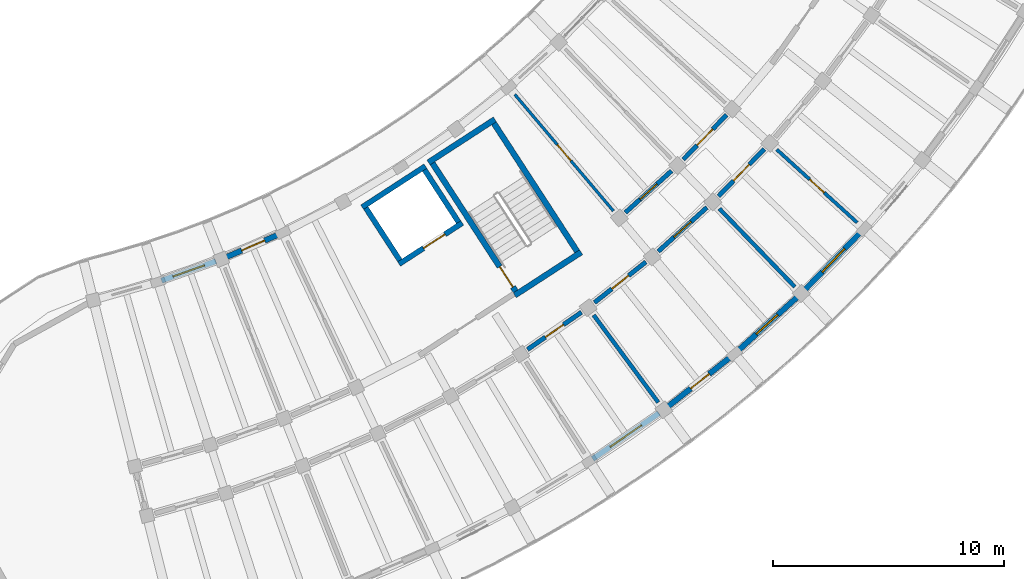
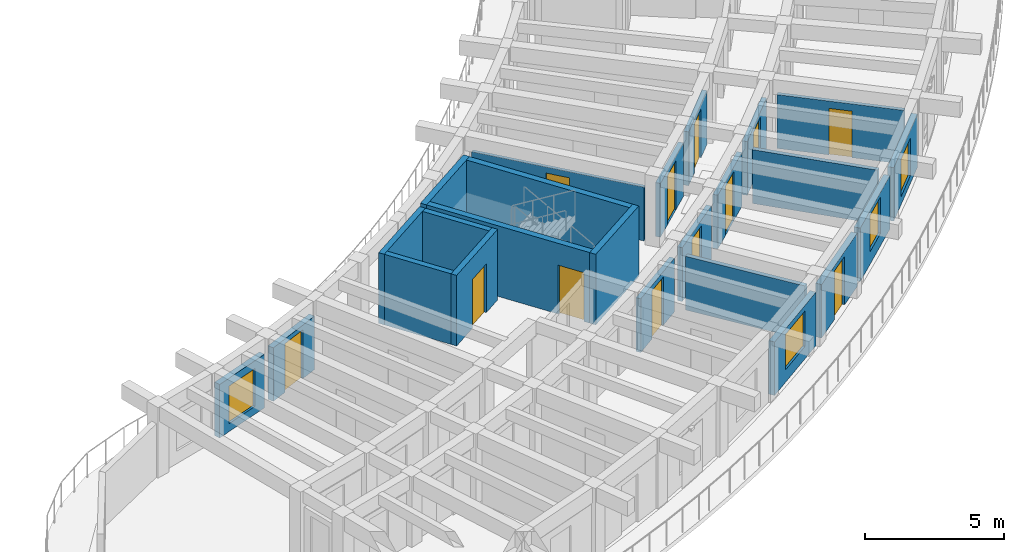
# One storey, part 53 of 81: 24 walls, 12 doors, 4 windows, 16 openings.
"""IFC4 building model written with IfcOpenShell, lengths in metres."""

from ifc_helpers import new_model, si_unit, direction, frame, frame_2d, origin, place, context, subcontext, project, spatial, rectangle, extrude, material, layer, layer_set, type_object, element, fill, save


model = new_model("IFC4")

# Units and contexts
model_context = context("Model", 3, precision=1e-05, world=origin(), true_north=direction((0.0, 1.0)))
body_context = subcontext(model_context, "Body", "Model", "MODEL_VIEW")
ifc_project = project(units=[si_unit("LENGTHUNIT", "METRE"), si_unit("AREAUNIT", "SQUARE_METRE"), si_unit("VOLUMEUNIT", "CUBIC_METRE"), si_unit("PLANEANGLEUNIT", "RADIAN"), si_unit("MASSUNIT", "GRAM", prefix="KILO")], contexts=[model_context])

# Site, building, storey
site_placement = place(None, origin())
site = spatial("IfcSite", under=ifc_project, at=site_placement, CompositionType="ELEMENT")
building_placement = place(site_placement, origin())
building = spatial("IfcBuilding", under=site, at=building_placement, Name="Tanwirah Colonnade Gardens", CompositionType="ELEMENT")
storey_placement = place(building_placement, frame((0.0, 0.0, 8.840087890625)))
storey = spatial("IfcBuildingStorey", under=building, at=storey_placement, Name="L02", CompositionType="ELEMENT", Elevation=8.840087890625)

# Wall, opening, window
ifc_material_1 = material(Name="Limestone architectural precast concrete C40/50", Category="masonry")
ifc_layer_1 = layer(ifc_material_1, 0.239990234375)
ifc_layer_set_1 = layer_set([ifc_layer_1], Name="Limestone architectural precast concrete C40/50")
wall_type_1 = type_object("IfcWallType", Name="EW-PC240", PredefinedType="SOLIDWALL", material=ifc_layer_set_1)
wall_1_placement = place(storey_placement, frame((134.701904296875, 22.2197265625, 0.0), z_axis=(0.0, 0.0, 1.0), x_axis=(0.941892135469, 0.33591547321, 0.0)))
wall_1 = element("IfcWall", 1, at=wall_1_placement, inside=storey, type_object=wall_type_1, Name="Block D L02 IN Precast Facade Wall 1", PredefinedType="SOLIDWALL", context=body_context, shape_type="SweptSolid", body=[
    extrude(rectangle(XDim=2.498779296875, YDim=0.239990234375, at=frame_2d((1.24951171875, 0.0))), origin(), (0.0, 0.0, 1.0), 2.35498046875),
])
opening_1_placement = place(wall_1_placement, frame((0.529296875, 0.0, 0.35009765625)))
opening_1 = element("IfcOpeningElement", 2, at=opening_1_placement, cuts=wall_1, Name="Opening WIN-U08", PredefinedType="OPENING", context=body_context, shape_type="SweptSolid", body=[
    extrude(rectangle(XDim=1.43994140625, YDim=1.659912109375, at=frame_2d((0.719970703125, 0.830078125))), frame((0.0, 0.1298828125, 0.0), z_axis=(0.0, -1.0, 0.0), x_axis=(1.0, 0.0, 0.0)), (0.0, 0.0, 1.0), 0.260009765625),
])
ifc_material_2 = material(Name="Thermally broken bronze aluminium and solar low-E double glazing", Category="aluminium")
window_type_1 = type_object("IfcWindowType", Name="WIN-U08", PartitioningType="DOUBLE_PANEL_VERTICAL", PredefinedType="WINDOW", material=ifc_material_2)
window_1_placement = place(opening_1_placement, origin())
window_1 = element("IfcWindow", 3, at=window_1_placement, inside=storey, type_object=window_type_1, Name="Facade window D-L02-IN-01", OverallHeight=1.659912109375, OverallWidth=1.43994140625, PartitioningType="SINGLE_PANEL", PredefinedType="WINDOW", context=body_context, shape_type="SweptSolid", body=[
    extrude(rectangle(XDim=1.43994140625, YDim=1.659912109375, at=frame_2d((0.719970703125, 0.830078125))), frame((0.0, 0.030029296875, 0.0), z_axis=(0.0, -1.0, 0.0), x_axis=(1.0, 0.0, 0.0)), (0.0, 0.0, 1.0), 0.06005859375),
])
fill(opening_1, window_1)

# Wall, opening, door
wall_2_placement = place(storey_placement, frame((137.5205078125, 23.2421875, 0.0), z_axis=(0.0, 0.0, 1.0), x_axis=(0.91795321239, 0.396688668686, 0.0)))
wall_2 = element("IfcWall", 4, at=wall_2_placement, inside=storey, type_object=wall_type_1, Name="Block D L02 IN Precast Facade Wall 2", PredefinedType="SOLIDWALL", context=body_context, shape_type="SweptSolid", body=[
    extrude(rectangle(XDim=2.498779296875, YDim=0.239990234375, at=frame_2d((1.24951171875, 0.0))), origin(), (0.0, 0.0, 1.0), 2.35498046875),
])
opening_2_placement = place(wall_2_placement, frame((0.70947265625, 0.0, 0.0)))
opening_2 = element("IfcOpeningElement", 5, at=opening_2_placement, cuts=wall_2, Name="Opening L02-ED182", PredefinedType="OPENING", context=body_context, shape_type="SweptSolid", body=[
    extrude(rectangle(XDim=1.080078125, YDim=2.14990234375, at=frame_2d((0.5400390625, 1.074951171875))), frame((0.0, 0.1298828125, 0.0), z_axis=(0.0, -1.0, 0.0), x_axis=(1.0, 0.0, 0.0)), (0.0, 0.0, 1.0), 0.260009765625),
])
ifc_material_3 = material(Name="Bronze aluminium glazed balcony door", Category="aluminium")
door_type_1 = type_object("IfcDoorType", Name="ED-BAL108", OperationType="NOTDEFINED", PredefinedType="DOOR", material=ifc_material_3)
door_1_placement = place(opening_2_placement, origin())
door_1 = element("IfcDoor", 6, at=door_1_placement, inside=storey, type_object=door_type_1, Name="Balcony glazed door L02-ED182", OperationType="SINGLE_SWING_LEFT", OverallHeight=2.14990234375, OverallWidth=1.080078125, PredefinedType="DOOR", context=body_context, shape_type="SweptSolid", body=[
    extrude(rectangle(XDim=1.080078125, YDim=2.14990234375, at=frame_2d((0.5400390625, 1.074951171875))), frame((0.0, 0.02490234375, 0.0), z_axis=(0.0, -1.0, 0.0), x_axis=(1.0, 0.0, 0.0)), (0.0, 0.0, 1.0), 0.050048828125),
])
fill(opening_2, door_1)

# Wall, opening, window
wall_3_placement = place(storey_placement, frame((153.3466796875, 14.507080078125, 0.0), z_axis=(0.0, 0.0, 1.0), x_axis=(0.822902356734, 0.568182815017, 0.0)))
wall_3 = element("IfcWall", 7, at=wall_3_placement, inside=storey, type_object=wall_type_1, Name="Block D L02 OUT Precast Facade Wall 5", PredefinedType="SOLIDWALL", context=body_context, shape_type="SweptSolid", body=[
    extrude(rectangle(XDim=3.48681640625, YDim=0.239990234375, at=frame_2d((1.743408203125, 0.0))), origin(), (0.0, 0.0, 1.0), 2.35498046875),
])
opening_3_placement = place(wall_3_placement, frame((0.92333984375, 0.0, 0.550048828125)))
opening_3 = element("IfcOpeningElement", 8, at=opening_3_placement, cuts=wall_3, Name="Opening WIN-U13", PredefinedType="OPENING", context=body_context, shape_type="SweptSolid", body=[
    extrude(rectangle(XDim=1.639892578125, YDim=1.56005859375, at=frame_2d((0.81982421875, 0.780029296875))), frame((0.0, 0.1298828125, 0.0), z_axis=(0.0, -1.0, 0.0), x_axis=(1.0, 0.0, 0.0)), (0.0, 0.0, 1.0), 0.260009765625),
])
window_type_2 = type_object("IfcWindowType", Name="WIN-U13", PartitioningType="DOUBLE_PANEL_VERTICAL", PredefinedType="WINDOW", material=ifc_material_2)
window_2_placement = place(opening_3_placement, origin())
window_2 = element("IfcWindow", 9, at=window_2_placement, inside=storey, type_object=window_type_2, Name="Facade window D-L02-OUT-05", OverallHeight=1.56005859375, OverallWidth=1.639892578125, PartitioningType="SINGLE_PANEL", PredefinedType="WINDOW", context=body_context, shape_type="SweptSolid", body=[
    extrude(rectangle(XDim=1.639892578125, YDim=1.56005859375, at=frame_2d((0.81982421875, 0.780029296875))), frame((0.0, 0.030029296875, 0.0), z_axis=(0.0, -1.0, 0.0), x_axis=(1.0, 0.0, 0.0)), (0.0, 0.0, 1.0), 0.06005859375),
])
fill(opening_3, window_2)

# Wall, opening, door
wall_4_placement = place(storey_placement, frame((156.61767578125, 16.78564453125, 0.0), z_axis=(0.0, 0.0, 1.0), x_axis=(0.78398760997, 0.620776471376, 0.0)))
wall_4 = element("IfcWall", 10, at=wall_4_placement, inside=storey, type_object=wall_type_1, Name="Block D L02 OUT Precast Facade Wall 6", PredefinedType="SOLIDWALL", context=body_context, shape_type="SweptSolid", body=[
    extrude(rectangle(XDim=3.48681640625, YDim=0.239990234375, at=frame_2d((1.743408203125, 0.0))), origin(), (0.0, 0.0, 1.0), 2.35498046875),
])
opening_4_placement = place(wall_4_placement, frame((1.2333984375, 0.0, 0.0)))
opening_4 = element("IfcOpeningElement", 11, at=opening_4_placement, cuts=wall_4, Name="Opening L02-ED183", PredefinedType="OPENING", context=body_context, shape_type="SweptSolid", body=[
    extrude(rectangle(XDim=1.02001953125, YDim=2.139892578125, at=frame_2d((0.510009765625, 1.06982421875))), frame((0.0, 0.1298828125, 0.0), z_axis=(0.0, -1.0, 0.0), x_axis=(1.0, 0.0, 0.0)), (0.0, 0.0, 1.0), 0.260009765625),
])
door_type_2 = type_object("IfcDoorType", Name="ED-BAL102", OperationType="NOTDEFINED", PredefinedType="DOOR", material=ifc_material_3)
door_2_placement = place(opening_4_placement, origin())
door_2 = element("IfcDoor", 12, at=door_2_placement, inside=storey, type_object=door_type_2, Name="Balcony glazed door L02-ED183", OperationType="SINGLE_SWING_LEFT", OverallHeight=2.139892578125, OverallWidth=1.02001953125, PredefinedType="DOOR", context=body_context, shape_type="SweptSolid", body=[
    extrude(rectangle(XDim=1.02001953125, YDim=2.139892578125, at=frame_2d((0.510009765625, 1.06982421875))), frame((0.0, 0.02490234375, 0.0), z_axis=(0.0, -1.0, 0.0), x_axis=(1.0, 0.0, 0.0)), (0.0, 0.0, 1.0), 0.050048828125),
])
fill(opening_4, door_2)

# Wall, opening, window
wall_5_placement = place(storey_placement, frame((159.595458984375, 19.15673828125, 0.0), z_axis=(0.0, 0.0, 1.0), x_axis=(0.741648568445, 0.670788641022, 0.0)))
wall_5 = element("IfcWall", 13, at=wall_5_placement, inside=storey, type_object=wall_type_1, Name="Block D L02 OUT Precast Facade Wall 7", PredefinedType="SOLIDWALL", context=body_context, shape_type="SweptSolid", body=[
    extrude(rectangle(XDim=3.48681640625, YDim=0.239990234375, at=frame_2d((1.743408203125, 0.0))), origin(), (0.0, 0.0, 1.0), 2.35498046875),
])
opening_5_placement = place(wall_5_placement, frame((1.118408203125, 0.0, 0.550048828125)))
opening_5 = element("IfcOpeningElement", 14, at=opening_5_placement, cuts=wall_5, Name="Opening WIN-T03", PredefinedType="OPENING", context=body_context, shape_type="SweptSolid", body=[
    extrude(rectangle(XDim=1.25, YDim=1.60009765625, at=frame_2d((0.625, 0.800048828125))), frame((0.0, 0.1298828125, 0.0), z_axis=(0.0, -1.0, 0.0), x_axis=(1.0, 0.0, 0.0)), (0.0, 0.0, 1.0), 0.260009765625),
])
window_type_3 = type_object("IfcWindowType", Name="WIN-T03", PartitioningType="SINGLE_PANEL", PredefinedType="WINDOW", material=ifc_material_2)
window_3_placement = place(opening_5_placement, origin())
window_3 = element("IfcWindow", 15, at=window_3_placement, inside=storey, type_object=window_type_3, Name="Facade window D-L02-OUT-07", OverallHeight=1.60009765625, OverallWidth=1.25, PartitioningType="SINGLE_PANEL", PredefinedType="WINDOW", context=body_context, shape_type="SweptSolid", body=[
    extrude(rectangle(XDim=1.25, YDim=1.60009765625, at=frame_2d((0.625, 0.800048828125))), frame((0.0, 0.030029296875, 0.0), z_axis=(0.0, -1.0, 0.0), x_axis=(1.0, 0.0, 0.0)), (0.0, 0.0, 1.0), 0.06005859375),
])
fill(opening_5, window_3)

wall_6_placement = place(storey_placement, frame((162.541015625, 21.8427734375, 0.0), z_axis=(0.0, 0.0, 1.0), x_axis=(0.696205978342, 0.717842068788, 0.0)))
wall_6 = element("IfcWall", 16, at=wall_6_placement, inside=storey, type_object=wall_type_1, Name="Block D L02 OUT Precast Facade Wall 8", PredefinedType="SOLIDWALL", context=body_context, shape_type="SweptSolid", body=[
    extrude(rectangle(XDim=3.48681640625, YDim=0.239990234375, at=frame_2d((1.743408203125, 0.0))), origin(), (0.0, 0.0, 1.0), 2.35498046875),
])
opening_6_placement = place(wall_6_placement, frame((1.04345703125, 0.0, 0.35009765625)))
opening_6 = element("IfcOpeningElement", 17, at=opening_6_placement, cuts=wall_6, Name="Opening WIN-T06", PredefinedType="OPENING", context=body_context, shape_type="SweptSolid", body=[
    extrude(rectangle(XDim=1.39990234375, YDim=1.64990234375, at=frame_2d((0.699951171875, 0.824951171875))), frame((0.0, 0.1298828125, 0.0), z_axis=(0.0, -1.0, 0.0), x_axis=(1.0, 0.0, 0.0)), (0.0, 0.0, 1.0), 0.260009765625),
])
window_type_4 = type_object("IfcWindowType", Name="WIN-T06", PartitioningType="DOUBLE_PANEL_VERTICAL", PredefinedType="WINDOW", material=ifc_material_2)
window_4_placement = place(opening_6_placement, origin())
window_4 = element("IfcWindow", 18, at=window_4_placement, inside=storey, type_object=window_type_4, Name="Facade window D-L02-OUT-08", OverallHeight=1.64990234375, OverallWidth=1.39990234375, PartitioningType="SINGLE_PANEL", PredefinedType="WINDOW", context=body_context, shape_type="SweptSolid", body=[
    extrude(rectangle(XDim=1.39990234375, YDim=1.64990234375, at=frame_2d((0.699951171875, 0.824951171875))), frame((0.0, 0.030029296875, 0.0), z_axis=(0.0, -1.0, 0.0), x_axis=(1.0, 0.0, 0.0)), (0.0, 0.0, 1.0), 0.06005859375),
])
fill(opening_6, window_4)

# Wall, opening, door
ifc_material_4 = material(Name="Precast concrete C40/50", Category="concrete")
ifc_layer_2 = layer(ifc_material_4, 0.195068359375)
ifc_layer_set_2 = layer_set([ifc_layer_2], Name="Precast concrete C40/50")
wall_type_2 = type_object("IfcWallType", Name="IW-CORR195", PredefinedType="PARTITIONING", material=ifc_layer_set_2)
wall_7_placement = place(storey_placement, frame((150.527587890625, 19.24072265625, 0.0), z_axis=(0.0, 0.0, 1.0), x_axis=(0.822870075235, 0.568229565653, 0.0)))
wall_7 = element("IfcWall", 19, at=wall_7_placement, inside=storey, type_object=wall_type_2, Name="Block D L02 OUT Corridor Wall 5", PredefinedType="PARTITIONING", context=body_context, shape_type="SweptSolid", body=[
    extrude(rectangle(XDim=2.8369140625, YDim=0.195068359375, at=frame_2d((1.41845703125, 0.0))), origin(), (0.0, 0.0, 1.0), 2.369873046875),
])
opening_7_placement = place(wall_7_placement, frame((0.943603515625, 0.0, 0.0)))
opening_7 = element("IfcOpeningElement", 20, at=opening_7_placement, cuts=wall_7, Name="Opening L02-AD1736", PredefinedType="OPENING", context=body_context, shape_type="SweptSolid", body=[
    extrude(rectangle(XDim=0.949951171875, YDim=2.1298828125, at=frame_2d((0.47509765625, 1.06494140625))), frame((0.0, 0.107421875, 0.0), z_axis=(0.0, -1.0, 0.0), x_axis=(1.0, 0.0, 0.0)), (0.0, 0.0, 1.0), 0.215087890625),
])
ifc_material_5 = material(Name="Solid oak fire-resisting apartment entrance door")
door_type_3 = type_object("IfcDoorType", Name="ID-FLT095", OperationType="NOTDEFINED", PredefinedType="DOOR", material=ifc_material_5)
door_3_placement = place(opening_7_placement, origin())
door_3 = element("IfcDoor", 21, at=door_3_placement, inside=storey, type_object=door_type_3, Name="Apartment corridor door L02-AD1736", OperationType="SINGLE_SWING_RIGHT", OverallHeight=2.1298828125, OverallWidth=0.949951171875, PredefinedType="DOOR", context=body_context, shape_type="SweptSolid", body=[
    extrude(rectangle(XDim=0.949951171875, YDim=2.1298828125, at=frame_2d((0.47509765625, 1.06494140625))), frame((0.0, 0.02490234375, 0.0), z_axis=(0.0, -1.0, 0.0), x_axis=(1.0, 0.0, 0.0)), (0.0, 0.0, 1.0), 0.050048828125),
])
fill(opening_7, door_3)

wall_8_placement = place(storey_placement, frame((153.424560546875, 21.268798828125, 0.0), z_axis=(0.0, 0.0, 1.0), x_axis=(0.783965548427, 0.620804332201, 0.0)))
wall_8 = element("IfcWall", 22, at=wall_8_placement, inside=storey, type_object=wall_type_2, Name="Block D L02 OUT Corridor Wall 6", PredefinedType="PARTITIONING", context=body_context, shape_type="SweptSolid", body=[
    extrude(rectangle(XDim=2.8369140625, YDim=0.195068359375, at=frame_2d((1.41845703125, 0.0))), origin(), (0.0, 0.0, 1.0), 2.369873046875),
])
opening_8_placement = place(wall_8_placement, frame((0.95361328125, 0.0, 0.0)))
opening_8 = element("IfcOpeningElement", 23, at=opening_8_placement, cuts=wall_8, Name="Opening L02-AD1737", PredefinedType="OPENING", context=body_context, shape_type="SweptSolid", body=[
    extrude(rectangle(XDim=0.929931640625, YDim=2.1201171875, at=frame_2d((0.46484375, 1.06005859375))), frame((0.0, 0.107421875, 0.0), z_axis=(0.0, -1.0, 0.0), x_axis=(1.0, 0.0, 0.0)), (0.0, 0.0, 1.0), 0.215087890625),
])
door_type_4 = type_object("IfcDoorType", Name="ID-FLT093", OperationType="NOTDEFINED", PredefinedType="DOOR", material=ifc_material_5)
door_4_placement = place(opening_8_placement, origin())
door_4 = element("IfcDoor", 24, at=door_4_placement, inside=storey, type_object=door_type_4, Name="Apartment corridor door L02-AD1737", OperationType="SINGLE_SWING_LEFT", OverallHeight=2.1201171875, OverallWidth=0.929931640625, PredefinedType="DOOR", context=body_context, shape_type="SweptSolid", body=[
    extrude(rectangle(XDim=0.929931640625, YDim=2.1201171875, at=frame_2d((0.46484375, 1.06005859375))), frame((0.0, 0.02490234375, 0.0), z_axis=(0.0, -1.0, 0.0), x_axis=(1.0, 0.0, 0.0)), (0.0, 0.0, 1.0), 0.050048828125),
])
fill(opening_8, door_4)

wall_9_placement = place(storey_placement, frame((156.1826171875, 23.48193359375, 0.0), z_axis=(0.0, 0.0, 1.0), x_axis=(0.741631592147, 0.670807410163, 0.0)))
wall_9 = element("IfcWall", 25, at=wall_9_placement, inside=storey, type_object=wall_type_2, Name="Block D L02 OUT Corridor Wall 7", PredefinedType="PARTITIONING", context=body_context, shape_type="SweptSolid", body=[
    extrude(rectangle(XDim=2.8369140625, YDim=0.195068359375, at=frame_2d((1.41845703125, 0.0))), origin(), (0.0, 0.0, 1.0), 2.369873046875),
])
opening_9_placement = place(wall_9_placement, frame((0.923583984375, 0.0, 0.0)))
opening_9 = element("IfcOpeningElement", 26, at=opening_9_placement, cuts=wall_9, Name="Opening L02-AD1739", PredefinedType="OPENING", context=body_context, shape_type="SweptSolid", body=[
    extrude(rectangle(XDim=0.989990234375, YDim=2.159912109375, at=frame_2d((0.4951171875, 1.080078125))), frame((0.0, 0.107421875, 0.0), z_axis=(0.0, -1.0, 0.0), x_axis=(1.0, 0.0, 0.0)), (0.0, 0.0, 1.0), 0.215087890625),
])
door_type_5 = type_object("IfcDoorType", Name="ID-FLT099", OperationType="NOTDEFINED", PredefinedType="DOOR", material=ifc_material_5)
door_5_placement = place(opening_9_placement, origin())
door_5 = element("IfcDoor", 27, at=door_5_placement, inside=storey, type_object=door_type_5, Name="Apartment corridor door L02-AD1739", OperationType="SINGLE_SWING_RIGHT", OverallHeight=2.159912109375, OverallWidth=0.989990234375, PredefinedType="DOOR", context=body_context, shape_type="SweptSolid", body=[
    extrude(rectangle(XDim=0.989990234375, YDim=2.159912109375, at=frame_2d((0.4951171875, 1.080078125))), frame((0.0, 0.02490234375, 0.0), z_axis=(0.0, -1.0, 0.0), x_axis=(1.0, 0.0, 0.0)), (0.0, 0.0, 1.0), 0.050048828125),
])
fill(opening_9, door_5)

wall_10_placement = place(storey_placement, frame((154.76123046875, 25.1611328125, 0.0), z_axis=(0.0, 0.0, 1.0), x_axis=(0.74166462946, 0.670770882945, 0.0)))
wall_10 = element("IfcWall", 28, at=wall_10_placement, inside=storey, type_object=wall_type_2, Name="Block D L02 IN Corridor Wall 7", PredefinedType="PARTITIONING", context=body_context, shape_type="SweptSolid", body=[
    extrude(rectangle(XDim=2.693115234375, YDim=0.195068359375, at=frame_2d((1.3466796875, 0.0))), origin(), (0.0, 0.0, 1.0), 2.369873046875),
])
opening_10_placement = place(wall_10_placement, frame((0.8515625, 0.0, 0.0)))
opening_10 = element("IfcOpeningElement", 29, at=opening_10_placement, cuts=wall_10, Name="Opening L02-AD1740", PredefinedType="OPENING", context=body_context, shape_type="SweptSolid", body=[
    extrude(rectangle(XDim=0.989990234375, YDim=2.159912109375, at=frame_2d((0.4951171875, 1.080078125))), frame((0.0, 0.107421875, 0.0), z_axis=(0.0, -1.0, 0.0), x_axis=(1.0, 0.0, 0.0)), (0.0, 0.0, 1.0), 0.215087890625),
])
door_6_placement = place(opening_10_placement, origin())
door_6 = element("IfcDoor", 30, at=door_6_placement, inside=storey, type_object=door_type_5, Name="Apartment corridor door L02-AD1740", OperationType="SINGLE_SWING_LEFT", OverallHeight=2.159912109375, OverallWidth=0.989990234375, PredefinedType="DOOR", context=body_context, shape_type="SweptSolid", body=[
    extrude(rectangle(XDim=0.989990234375, YDim=2.159912109375, at=frame_2d((0.4951171875, 1.080078125))), frame((0.0, 0.02490234375, 0.0), z_axis=(0.0, -1.0, 0.0), x_axis=(1.0, 0.0, 0.0)), (0.0, 0.0, 1.0), 0.050048828125),
])
fill(opening_10, door_6)

wall_11_placement = place(storey_placement, frame((158.7900390625, 25.870849609375, 0.0), z_axis=(0.0, 0.0, 1.0), x_axis=(0.696223786753, 0.717824796701, 0.0)))
wall_11 = element("IfcWall", 31, at=wall_11_placement, inside=storey, type_object=wall_type_2, Name="Block D L02 OUT Corridor Wall 8", PredefinedType="PARTITIONING", context=body_context, shape_type="SweptSolid", body=[
    extrude(rectangle(XDim=2.8369140625, YDim=0.195068359375, at=frame_2d((1.41845703125, 0.0))), origin(), (0.0, 0.0, 1.0), 2.369873046875),
])
opening_11_placement = place(wall_11_placement, frame((0.93359375, 0.0, 0.0)))
opening_11 = element("IfcOpeningElement", 32, at=opening_11_placement, cuts=wall_11, Name="Opening L02-AD1742", PredefinedType="OPENING", context=body_context, shape_type="SweptSolid", body=[
    extrude(rectangle(XDim=0.969970703125, YDim=2.14990234375, at=frame_2d((0.48486328125, 1.074951171875))), frame((0.0, 0.107421875, 0.0), z_axis=(0.0, -1.0, 0.0), x_axis=(1.0, 0.0, 0.0)), (0.0, 0.0, 1.0), 0.215087890625),
])
door_type_6 = type_object("IfcDoorType", Name="ID-FLT097", OperationType="NOTDEFINED", PredefinedType="DOOR", material=ifc_material_5)
door_7_placement = place(opening_11_placement, origin())
door_7 = element("IfcDoor", 33, at=door_7_placement, inside=storey, type_object=door_type_6, Name="Apartment corridor door L02-AD1742", OperationType="SINGLE_SWING_LEFT", OverallHeight=2.14990234375, OverallWidth=0.969970703125, PredefinedType="DOOR", context=body_context, shape_type="SweptSolid", body=[
    extrude(rectangle(XDim=0.969970703125, YDim=2.14990234375, at=frame_2d((0.48486328125, 1.074951171875))), frame((0.0, 0.02490234375, 0.0), z_axis=(0.0, -1.0, 0.0), x_axis=(1.0, 0.0, 0.0)), (0.0, 0.0, 1.0), 0.050048828125),
])
fill(opening_11, door_7)

wall_12_placement = place(storey_placement, frame((157.26171875, 27.453369140625, 0.0), z_axis=(0.0, 0.0, 1.0), x_axis=(0.696236443412, 0.717812520694, 0.0)))
wall_12 = element("IfcWall", 34, at=wall_12_placement, inside=storey, type_object=wall_type_2, Name="Block D L02 IN Corridor Wall 8", PredefinedType="PARTITIONING", context=body_context, shape_type="SweptSolid", body=[
    extrude(rectangle(XDim=2.693115234375, YDim=0.195068359375, at=frame_2d((1.3466796875, 0.0))), origin(), (0.0, 0.0, 1.0), 2.369873046875),
])
opening_12_placement = place(wall_12_placement, frame((0.861572265625, 0.0, 0.0)))
opening_12 = element("IfcOpeningElement", 35, at=opening_12_placement, cuts=wall_12, Name="Opening L02-AD1743", PredefinedType="OPENING", context=body_context, shape_type="SweptSolid", body=[
    extrude(rectangle(XDim=0.969970703125, YDim=2.14990234375, at=frame_2d((0.48486328125, 1.074951171875))), frame((0.0, 0.107421875, 0.0), z_axis=(0.0, -1.0, 0.0), x_axis=(1.0, 0.0, 0.0)), (0.0, 0.0, 1.0), 0.215087890625),
])
door_8_placement = place(opening_12_placement, origin())
door_8 = element("IfcDoor", 36, at=door_8_placement, inside=storey, type_object=door_type_6, Name="Apartment corridor door L02-AD1743", OperationType="SINGLE_SWING_RIGHT", OverallHeight=2.14990234375, OverallWidth=0.969970703125, PredefinedType="DOOR", context=body_context, shape_type="SweptSolid", body=[
    extrude(rectangle(XDim=0.969970703125, YDim=2.14990234375, at=frame_2d((0.48486328125, 1.074951171875))), frame((0.0, 0.02490234375, 0.0), z_axis=(0.0, -1.0, 0.0), x_axis=(1.0, 0.0, 0.0)), (0.0, 0.0, 1.0), 0.050048828125),
])
fill(opening_12, door_8)

# Walls
ifc_layer_3 = layer(ifc_material_4, 0.175048828125)
ifc_layer_set_3 = layer_set([ifc_layer_3], Name="Precast concrete C40/50")
wall_type_3 = type_object("IfcWallType", Name="IW-DEM175", PredefinedType="PARTITIONING", material=ifc_layer_set_3)
for number, where, z_axis, x_axis, name in (
    (37, (153.38818359375, 20.72998046875, 0.0), (0.0, 0.0, 1.0), (0.59482622273, -0.803854318116, 0.0), "Block D L02 Radial Partition 5"),
    (38, (158.82421875, 25.33203125, 0.0), (0.0, 0.0, 1.0), (0.69466218314, -0.719336118456, 0.0), "Block D L02 Radial Partition 7"),
):
    element("IfcWall", number, at=place(storey_placement, frame(where, z_axis=z_axis, x_axis=x_axis)), inside=storey, type_object=wall_type_3, Name=name, PredefinedType="PARTITIONING", context=body_context, shape_type="SweptSolid", body=[
        extrude(rectangle(XDim=4.699951171875, YDim=0.175048828125, at=frame_2d((2.35009765625, 0.0))), origin(), (0.0, 0.0, 1.0), 2.369873046875),
    ])

# Wall, opening, door
ifc_material_6 = material(Name="Moisture-resistant gypsum stud partition")
ifc_layer_4 = layer(ifc_material_6, 0.125)
ifc_layer_set_4 = layer_set([ifc_layer_4], Name="Moisture-resistant gypsum stud partition")
wall_type_4 = type_object("IfcWallType", Name="IW-INT125", PredefinedType="PARTITIONING", material=ifc_layer_set_4)
wall_13_placement = place(storey_placement, frame((149.978759765625, 30.26904296875, 0.0), z_axis=(0.0, 0.0, 1.0), x_axis=(0.646121311019, -0.763234728932, 0.0)))
wall_13 = element("IfcWall", 39, at=wall_13_placement, inside=storey, type_object=wall_type_4, Name="Block D L02 Inner Radial Partition 6", PredefinedType="PARTITIONING", context=body_context, shape_type="SweptSolid", body=[
    extrude(rectangle(XDim=6.60009765625, YDim=0.125, at=frame_2d((3.300048828125, 0.0))), origin(), (0.0, 0.0, 1.0), 2.369873046875),
])
opening_13_placement = place(wall_13_placement, frame((2.844970703125, 0.0, 0.0)))
opening_13 = element("IfcOpeningElement", 40, at=opening_13_placement, cuts=wall_13, Name="Opening L02-RD1738", PredefinedType="OPENING", context=body_context, shape_type="SweptSolid", body=[
    extrude(rectangle(XDim=0.909912109375, YDim=2.10009765625, at=frame_2d((0.455078125, 1.050048828125))), frame((0.0, 0.072509765625, 0.0), z_axis=(0.0, -1.0, 0.0), x_axis=(1.0, 0.0, 0.0)), (0.0, 0.0, 1.0), 0.14501953125),
])
ifc_material_7 = material(Name="Painted hardwood internal room door", Category="wood")
door_type_7 = type_object("IfcDoorType", Name="ID-RM091", OperationType="NOTDEFINED", PredefinedType="DOOR", material=ifc_material_7)
door_9_placement = place(opening_13_placement, origin())
door_9 = element("IfcDoor", 41, at=door_9_placement, inside=storey, type_object=door_type_7, Name="Internal apartment door L02-RD1738", OperationType="SINGLE_SWING_RIGHT", OverallHeight=2.10009765625, OverallWidth=0.909912109375, PredefinedType="DOOR", context=body_context, shape_type="SweptSolid", body=[
    extrude(rectangle(XDim=0.909912109375, YDim=2.10009765625, at=frame_2d((0.455078125, 1.050048828125))), frame((0.0, 0.02490234375, 0.0), z_axis=(0.0, -1.0, 0.0), x_axis=(1.0, 0.0, 0.0)), (0.0, 0.0, 1.0), 0.050048828125),
])
fill(opening_13, door_9)

ifc_material_8 = material(Name="Water-resistant acoustic plumbing partition")
ifc_layer_5 = layer(ifc_material_8, 0.14990234375)
ifc_layer_set_5 = layer_set([ifc_layer_5], Name="Water-resistant acoustic plumbing partition")
wall_type_5 = type_object("IfcWallType", Name="IW-WET150", PredefinedType="PLUMBINGWALL", material=ifc_layer_set_5)
wall_14_placement = place(storey_placement, frame((161.304931640625, 27.8896484375, 0.0), z_axis=(0.0, 0.0, 1.0), x_axis=(0.740212663782, -0.672372822456, 0.0)))
wall_14 = element("IfcWall", 42, at=wall_14_placement, inside=storey, type_object=wall_type_5, Name="Block D L02 Radial Partition 8", PredefinedType="PLUMBINGWALL", context=body_context, shape_type="SweptSolid", body=[
    extrude(rectangle(XDim=4.699951171875, YDim=0.14990234375, at=frame_2d((2.35009765625, 0.0))), origin(), (0.0, 0.0, 1.0), 2.369873046875),
])
opening_14_placement = place(wall_14_placement, frame((1.925048828125, 0.0, 0.0)))
opening_14 = element("IfcOpeningElement", 43, at=opening_14_placement, cuts=wall_14, Name="Opening L02-RD1744", PredefinedType="OPENING", context=body_context, shape_type="SweptSolid", body=[
    extrude(rectangle(XDim=0.85009765625, YDim=2.050048828125, at=frame_2d((0.425048828125, 1.02490234375))), frame((0.0, 0.0849609375, 0.0), z_axis=(0.0, -1.0, 0.0), x_axis=(1.0, 0.0, 0.0)), (0.0, 0.0, 1.0), 0.169921875),
])
ifc_material_9 = material(Name="Moisture-resistant en-suite door")
door_type_8 = type_object("IfcDoorType", Name="ID-WET085", OperationType="NOTDEFINED", PredefinedType="DOOR", material=ifc_material_9)
door_10_placement = place(opening_14_placement, origin())
door_10 = element("IfcDoor", 44, at=door_10_placement, inside=storey, type_object=door_type_8, Name="Internal apartment door L02-RD1744", OperationType="SINGLE_SWING_LEFT", OverallHeight=2.050048828125, OverallWidth=0.85009765625, PredefinedType="DOOR", context=body_context, shape_type="SweptSolid", body=[
    extrude(rectangle(XDim=0.85009765625, YDim=2.050048828125, at=frame_2d((0.425048828125, 1.02490234375))), frame((0.0, 0.02490234375, 0.0), z_axis=(0.0, -1.0, 0.0), x_axis=(1.0, 0.0, 0.0)), (0.0, 0.0, 1.0), 0.050048828125),
])
fill(opening_14, door_10)

# Walls
ifc_material_10 = material(Name="Concrete C45/55", Category="concrete")
ifc_layer_6 = layer(ifc_material_10, 0.25)
ifc_layer_set_6 = layer_set([ifc_layer_6], Name="Concrete C45/55")
wall_type_6 = type_object("IfcWallType", Name="SW-CORE250", PredefinedType="SHEAR", material=ifc_layer_set_6)
wall_15_placement = place(storey_placement, frame((152.674072265625, 23.48388671875, 0.0), z_axis=(0.0, 0.0, 1.0), x_axis=(-0.544655453679, 0.838659905312, 0.0)))
element("IfcWall", 45, at=wall_15_placement, inside=storey, type_object=wall_type_6, Name="CORE-D1 L02 Stair Shaft Shear Wall LEFT", PredefinedType="SHEAR", context=body_context, shape_type="SweptSolid", body=[
    extrude(rectangle(XDim=6.60009765625, YDim=0.25, at=frame_2d((3.300048828125, 0.0))), origin(), (0.0, 0.0, 1.0), 3.10986328125),
])
wall_16_placement = place(storey_placement, frame((149.1162109375, 29.19189453125, 0.0), z_axis=(0.0, 0.0, 1.0), x_axis=(-0.838699580527, -0.544594356953, 0.0)))
element("IfcWall", 46, at=wall_16_placement, inside=storey, type_object=wall_type_6, Name="CORE-D1 L02 Stair Shaft Shear Wall FAR", PredefinedType="SHEAR", context=body_context, shape_type="SweptSolid", body=[
    extrude(rectangle(XDim=3.420166015625, YDim=0.25, at=frame_2d((1.7099609375, 0.0))), origin(), (0.0, 0.0, 1.0), 3.10986328125),
])
wall_17_placement = place(storey_placement, frame((152.846923828125, 23.447021484375, 0.0), z_axis=(0.0, 0.0, 1.0), x_axis=(-0.838645798734, -0.544677174357, 0.0)))
element("IfcWall", 47, at=wall_17_placement, inside=storey, type_object=wall_type_6, Name="CORE-D1 L02 Stair Shaft Shear Wall NEAR", PredefinedType="SHEAR", context=body_context, shape_type="SweptSolid", body=[
    extrude(rectangle(XDim=3.419921875, YDim=0.25, at=frame_2d((1.7099609375, 0.0))), origin(), (0.0, 0.0, 1.0), 3.10986328125),
])

# Wall, opening, door
wall_18_placement = place(storey_placement, frame((150.015380859375, 21.75732421875, 0.0), z_axis=(0.0, 0.0, 1.0), x_axis=(-0.544629435258, 0.838676802022, 0.0)))
wall_18 = element("IfcWall", 48, at=wall_18_placement, inside=storey, type_object=wall_type_6, Name="CORE-D1 L02 Stair Shaft Shear Wall RIGHT", PredefinedType="SHEAR", context=body_context, shape_type="SweptSolid", body=[
    extrude(rectangle(XDim=6.599853515625, YDim=0.25, at=frame_2d((3.2998046875, 0.0))), origin(), (0.0, 0.0, 1.0), 3.10986328125),
])
opening_15_placement = place(wall_18_placement, frame((0.219970703125, 0.0, 0.0)))
opening_15 = element("IfcOpeningElement", 49, at=opening_15_placement, cuts=wall_18, Name="Opening L02-SD172", PredefinedType="OPENING", context=body_context, shape_type="SweptSolid", body=[
    extrude(rectangle(XDim=1.050048828125, YDim=2.14990234375, at=frame_2d((0.52490234375, 1.074951171875))), frame((0.0, 0.135009765625, 0.0), z_axis=(0.0, -1.0, 0.0), x_axis=(1.0, 0.0, 0.0)), (0.0, 0.0, 1.0), 0.27001953125),
])
ifc_material_11 = material(Name="Steel fire-resisting stair enclosure door", Category="steel")
door_type_9 = type_object("IfcDoorType", Name="ID-ST105", OperationType="NOTDEFINED", PredefinedType="DOOR", material=ifc_material_11)
door_11_placement = place(opening_15_placement, origin())
door_11 = element("IfcDoor", 50, at=door_11_placement, inside=storey, type_object=door_type_9, Name="CORE-D1 L02 Stair Fire Door L02-SD172", OperationType="SINGLE_SWING_LEFT", OverallHeight=2.14990234375, OverallWidth=1.050048828125, PredefinedType="DOOR", context=body_context, shape_type="SweptSolid", body=[
    extrude(rectangle(XDim=1.050048828125, YDim=2.14990234375, at=frame_2d((0.52490234375, 1.074951171875))), frame((0.0, 0.02490234375, 0.0), z_axis=(0.0, -1.0, 0.0), x_axis=(1.0, 0.0, 0.0)), (0.0, 0.0, 1.0), 0.050048828125),
])
fill(opening_15, door_11)

ifc_layer_7 = layer(ifc_material_10, 0.22998046875)
ifc_layer_set_7 = layer_set([ifc_layer_7], Name="Concrete C45/55")
wall_type_7 = type_object("IfcWallType", Name="SW-LIFT230", PredefinedType="SHEAR", material=ifc_layer_set_7)
wall_19_placement = place(storey_placement, frame((147.70849609375, 24.712646484375, 0.0), z_axis=(0.0, 0.0, 1.0), x_axis=(-0.838672833615, -0.544635546173, 0.0)))
wall_19 = element("IfcWall", 51, at=wall_19_placement, inside=storey, type_object=wall_type_7, Name="CORE-D1 L02 Lift Shaft Wall FRONT", PredefinedType="SHEAR", context=body_context, shape_type="SweptSolid", body=[
    extrude(rectangle(XDim=3.259765625, YDim=0.22998046875, at=frame_2d((1.6298828125, 0.0))), origin(), (0.0, 0.0, 1.0), 3.10986328125),
])
opening_16_placement = place(wall_19_placement, frame((0.89990234375, 0.0, 0.0)))
opening_16 = element("IfcOpeningElement", 52, at=opening_16_placement, cuts=wall_19, Name="Opening L02-LD-FL-D1", PredefinedType="OPENING", context=body_context, shape_type="SweptSolid", body=[
    extrude(rectangle(XDim=1.10009765625, YDim=2.14990234375, at=frame_2d((0.550048828125, 1.074951171875))), frame((0.0, 0.125, 0.0), z_axis=(0.0, -1.0, 0.0), x_axis=(1.0, 0.0, 0.0)), (0.0, 0.0, 1.0), 0.25),
])
ifc_material_12 = material(Name="Stainless steel sliding fire lift landing door", Category="steel")
door_type_10 = type_object("IfcDoorType", Name="LD-FF11", OperationType="DOUBLE_DOOR_SLIDING", PredefinedType="DOOR", material=ifc_material_12)
door_12_placement = place(opening_16_placement, origin())
door_12 = element("IfcDoor", 53, at=door_12_placement, inside=storey, type_object=door_type_10, Name="Lift FL-D1 L02 Sliding Landing Door", OperationType="DOUBLE_DOOR_SLIDING", OverallHeight=2.14990234375, OverallWidth=1.10009765625, PredefinedType="DOOR", context=body_context, shape_type="SweptSolid", body=[
    extrude(rectangle(XDim=1.10009765625, YDim=2.14990234375, at=frame_2d((0.550048828125, 1.074951171875))), frame((0.0, 0.02490234375, 0.0), z_axis=(0.0, -1.0, 0.0), x_axis=(1.0, 0.0, 0.0)), (0.0, 0.0, 1.0), 0.050048828125),
])
fill(opening_16, door_12)

# Walls
wall_20_placement = place(storey_placement, frame((146.11279296875, 27.169921875, 0.0), z_axis=(0.0, 0.0, 1.0), x_axis=(-0.838695047431, -0.544601338058, 0.0)))
element("IfcWall", 54, at=wall_20_placement, inside=storey, type_object=wall_type_7, Name="CORE-D1 L02 Lift Shaft Wall BACK", PredefinedType="SHEAR", context=body_context, shape_type="SweptSolid", body=[
    extrude(rectangle(XDim=3.260009765625, YDim=0.22998046875, at=frame_2d((1.6298828125, 0.0))), origin(), (0.0, 0.0, 1.0), 3.10986328125),
])
for number, where, z_axis, x_axis, name in (
    (55, (147.549560546875, 24.74658203125, 0.0), (0.0, 0.0, 1.0), (-0.544622789439, 0.838681117722, 0.0), "CORE-D1 L02 Lift Shaft Wall SIDEA"),
    (56, (145.00830078125, 23.09619140625, 0.0), (0.0, 0.0, 1.0), (-0.544622789439, 0.838681117722, 0.0), "CORE-D1 L02 Lift Shaft Wall SIDEB"),
):
    element("IfcWall", number, at=place(storey_placement, frame(where, z_axis=z_axis, x_axis=x_axis)), inside=storey, type_object=wall_type_7, Name=name, PredefinedType="SHEAR", context=body_context, shape_type="SweptSolid", body=[
        extrude(rectangle(XDim=2.699951171875, YDim=0.22998046875, at=frame_2d((1.35009765625, 0.0))), origin(), (0.0, 0.0, 1.0), 3.10986328125),
    ])

save(model, "model.ifc")
